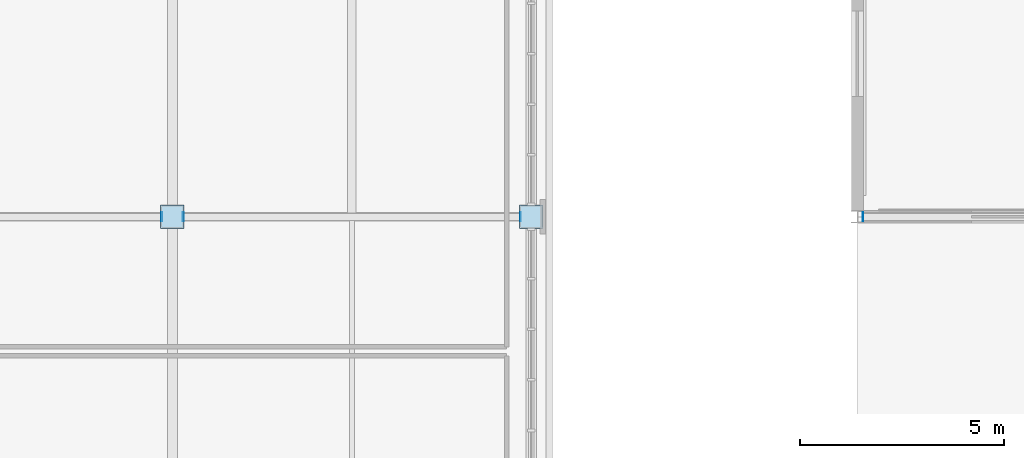
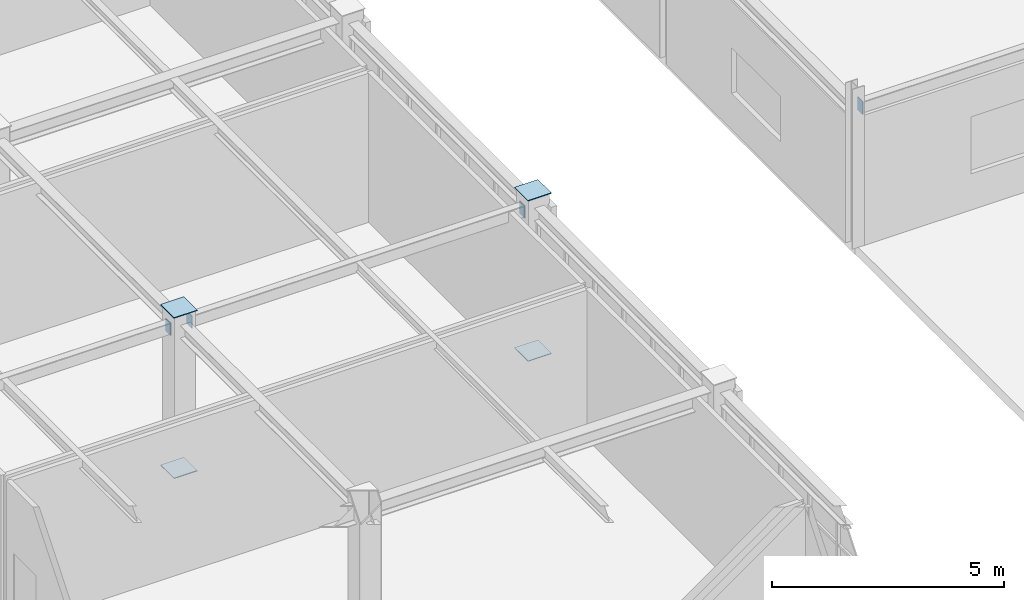
# One storey, part 54 of 88: 8 plates.
"""IFC4 building model written with IfcOpenShell, lengths in metres."""

from ifc_helpers import new_model, si_unit, direction, frame, origin, origin_2d, place, context, subcontext, project, spatial, rectangle, extrude, material, layer, layer_set, type_object, element, save


model = new_model("IFC4")

# Units and contexts
model_context = context("Model", 3, precision=1e-05, world=origin(), true_north=direction((0.0, 1.0)))
body_context = subcontext(model_context, "Body", "Model", "MODEL_VIEW")
ifc_project = project(units=[si_unit("LENGTHUNIT", "METRE"), si_unit("AREAUNIT", "SQUARE_METRE"), si_unit("VOLUMEUNIT", "CUBIC_METRE"), si_unit("PLANEANGLEUNIT", "RADIAN"), si_unit("MASSUNIT", "GRAM", prefix="KILO")], contexts=[model_context])

# Site, building, storey
site_placement = place(None, origin())
site = spatial("IfcSite", under=ifc_project, at=site_placement, CompositionType="ELEMENT")
building_placement = place(site_placement, origin())
building = spatial("IfcBuilding", under=site, at=building_placement, Name="Zhaolan Boulevard Law Courts", CompositionType="ELEMENT")
storey_placement = place(building_placement, frame((0.0, 0.0, 16.199951171875)))
storey = spatial("IfcBuildingStorey", under=building, at=storey_placement, Name="L03", CompositionType="ELEMENT", Elevation=16.199951171875)

# Plates
ifc_material = material(Name="Structural steel Q355B", Category="steel")
ifc_layer = layer(ifc_material, 0.02001953125)
ifc_layer_set = layer_set([ifc_layer])
plate_type = type_object("IfcPlateType", Name="END CAP PLATE 20", PredefinedType="SHEET", material=ifc_layer_set)
for number, where, z_axis, x_axis, name in (
    (1, (35.199951171875, 62.0, -0.01806640625), (0.0, 0.0, 1.0), (1.0, 0.0, 0.0), "Hollow Section End-Cap Plate ECP-0451"),
    (2, (35.199951171875, 62.0, 4.197998046875), (0.0, 0.0, 1.0), (1.0, 0.0, 0.0), "Hollow Section End-Cap Plate ECP-0452"),
    (3, (44.0, 62.0, -0.01806640625), (0.0, 0.0, 1.0), (1.0, 0.0, 0.0), "Hollow Section End-Cap Plate ECP-0567"),
    (4, (44.0, 62.0, 4.197998046875), (0.0, 0.0, 1.0), (1.0, 0.0, 0.0), "Hollow Section End-Cap Plate ECP-0568"),
):
    element("IfcPlate", number, at=place(storey_placement, frame(where, z_axis=z_axis, x_axis=x_axis)), inside=storey, type_object=plate_type, Name=name, PredefinedType="SHEET", context=body_context, shape_type="SweptSolid", body=[
        extrude(rectangle(XDim=0.580078125, YDim=0.580078125, at=origin_2d()), origin(), (0.0, 0.0, 1.0), 0.02001953125),
    ])
for number, where, z_axis, x_axis, name in (
    (5, (34.93701171875, 62.0, 3.633056640625), (0.0, 0.0, 1.0), (1.0, 0.0, 0.0), "Hollow Section End-Cap Plate ECP-0904"),
    (6, (35.462890625, 62.0, 3.633056640625), (0.0, 0.0, 1.0), (1.0, 0.0, 0.0), "Hollow Section End-Cap Plate ECP-0905"),
    (7, (43.737060546875, 62.0, 3.633056640625), (0.0, 0.0, 1.0), (1.0, 0.0, 0.0), "Hollow Section End-Cap Plate ECP-0906"),
    (8, (52.137939453125, 62.0, 3.423095703125), (0.0, 0.0, 1.0), (1.0, 0.0, 0.0), "Hollow Section End-Cap Plate ECP-0907"),
):
    element("IfcPlate", number, at=place(storey_placement, frame(where, z_axis=z_axis, x_axis=x_axis)), inside=storey, type_object=plate_type, Name=name, PredefinedType="SHEET", context=body_context, shape_type="SweptSolid", body=[
        extrude(rectangle(XDim=0.02001953125, YDim=0.22998046875, at=origin_2d()), origin(), (0.0, 0.0, 1.0), 0.330078125),
    ])

save(model, "model.ifc")
